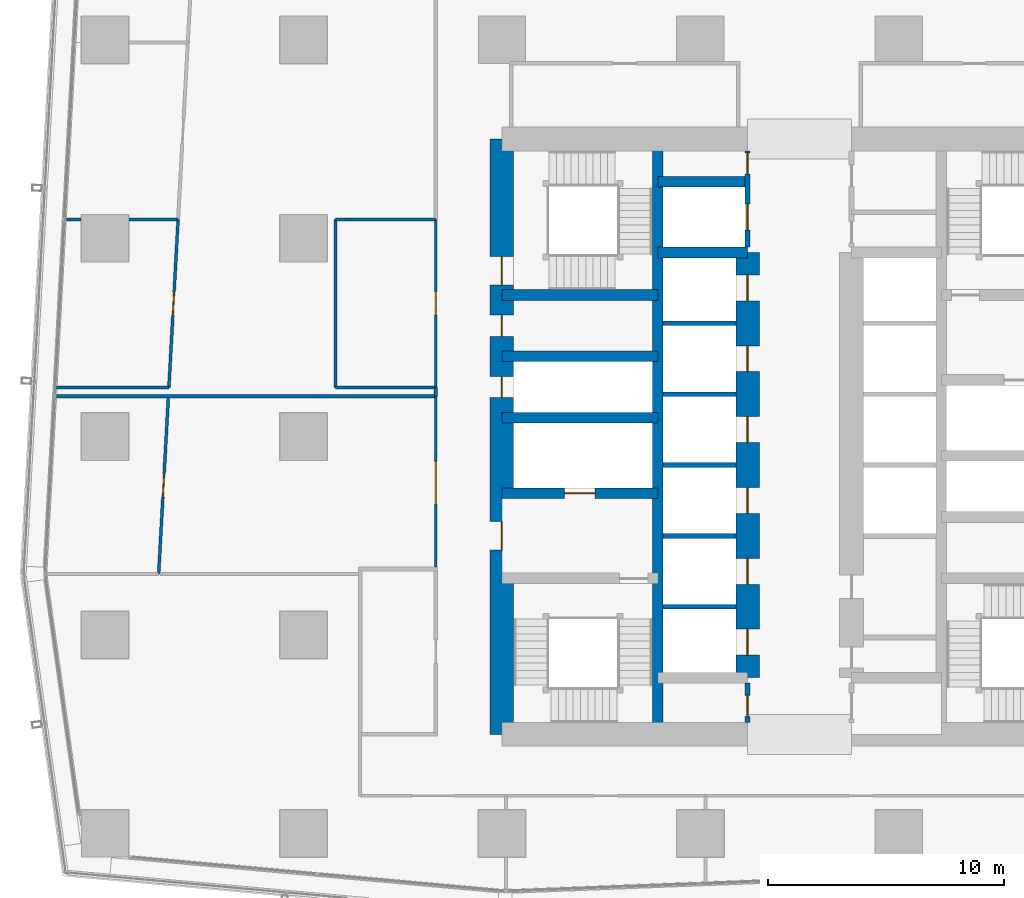
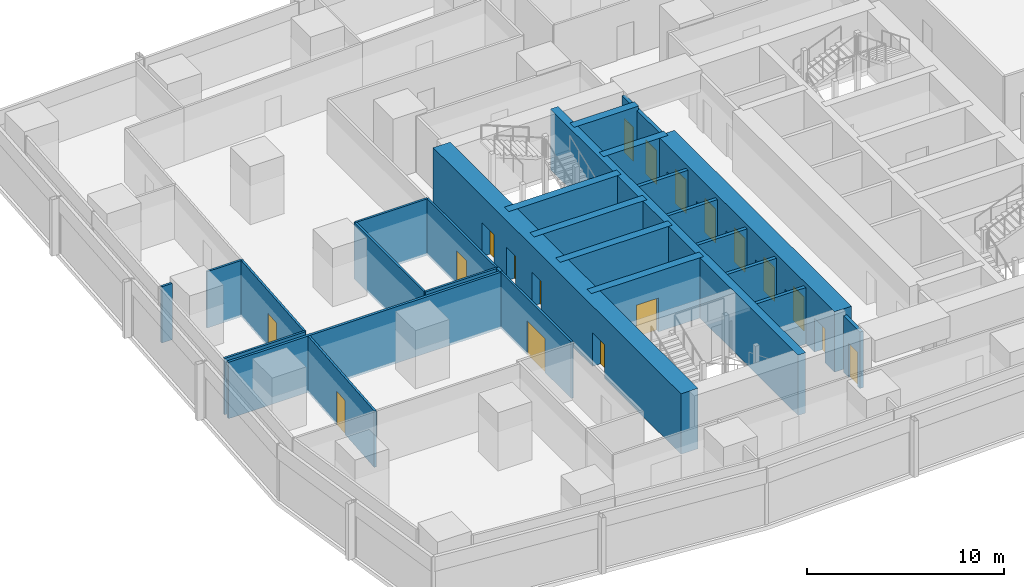
# One storey, part 29 of 39: 28 walls, 18 doors, 18 openings.
"""IFC4 building model written with IfcOpenShell, lengths in metres."""

from ifc_helpers import new_model, si_unit, direction, frame, frame_2d, origin, place, context, subcontext, project, spatial, rectangle, extrude, material, layer, layer_set, type_object, element, fill, save


model = new_model("IFC4")

# Units and contexts
model_context = context("Model", 3, precision=1e-05, world=origin(), true_north=direction((0.0, 1.0)))
body_context = subcontext(model_context, "Body", "Model", "MODEL_VIEW")
ifc_project = project(units=[si_unit("LENGTHUNIT", "METRE"), si_unit("AREAUNIT", "SQUARE_METRE"), si_unit("VOLUMEUNIT", "CUBIC_METRE"), si_unit("PLANEANGLEUNIT", "RADIAN"), si_unit("MASSUNIT", "GRAM", prefix="KILO")], contexts=[model_context])

# Site, building, storey
site_placement = place(None, origin())
site = spatial("IfcSite", under=ifc_project, at=site_placement, CompositionType="ELEMENT")
building_placement = place(site_placement, origin())
building = spatial("IfcBuilding", under=site, at=building_placement, Name="Rekha Terrace Tower", CompositionType="ELEMENT")
storey_placement = place(building_placement, frame((0.0, 0.0, 151.550048828125)))
storey = spatial("IfcBuildingStorey", under=building, at=storey_placement, Name="L38", CompositionType="ELEMENT", Elevation=151.550048828125)

# Walls
ifc_material_1 = material(Name="Concrete M70", Category="concrete")
ifc_layer_1 = layer(ifc_material_1, 0.449951171875)
ifc_layer_set_1 = layer_set([ifc_layer_1], Name="Concrete M70")
wall_type_1 = type_object("IfcWallType", Name="CI2 450 core internal shear wall", PredefinedType="SHEAR", material=ifc_layer_set_1)
wall_1_placement = place(storey_placement, frame((31.800048828125, 21.0, 0.0), z_axis=(0.0, 0.0, 1.0), x_axis=(0.0, 1.0, 0.0)))
element("IfcWall", 1, at=wall_1_placement, inside=storey, type_object=wall_type_1, Name="Core wall X318 L38", PredefinedType="SHEAR", context=body_context, shape_type="SweptSolid", body=[
    extrude(rectangle(XDim=25.199951171875, YDim=0.449951171875, at=frame_2d((12.60009765625, 0.0))), origin(), (0.0, 0.0, 1.0), 3.75),
])
for number, where, z_axis, x_axis, name in (
    (2, (31.800048828125, 41.39990234375, 0.0), (0.0, 0.0, 1.0), (1.0, 0.0, 0.0), "Core wall Y414W L38"),
    (3, (31.800048828125, 44.39990234375, 0.0), (0.0, 0.0, 1.0), (1.0, 0.0, 0.0), "Core wall Y444W L38"),
):
    element("IfcWall", number, at=place(storey_placement, frame(where, z_axis=z_axis, x_axis=x_axis)), inside=storey, type_object=wall_type_1, Name=name, PredefinedType="SHEAR", context=body_context, shape_type="SweptSolid", body=[
        extrude(rectangle(XDim=3.800048828125, YDim=0.449951171875, at=frame_2d((1.89990234375, 0.0))), origin(), (0.0, 0.0, 1.0), 3.75),
    ])

# Wall, opening, door
wall_2_placement = place(storey_placement, frame((25.199951171875, 31.199951171875, 0.0), z_axis=(0.0, 0.0, 1.0), x_axis=(1.0, 0.0, 0.0)))
wall_2 = element("IfcWall", 4, at=wall_2_placement, inside=storey, type_object=wall_type_1, Name="Core wall Y312W L38", PredefinedType="SHEAR", context=body_context, shape_type="SweptSolid", body=[
    extrude(rectangle(XDim=6.60009765625, YDim=0.449951171875, at=frame_2d((3.300048828125, 0.0))), origin(), (0.0, 0.0, 1.0), 3.75),
])
opening_1_placement = place(wall_2_placement, frame((2.64990234375, 0.0, 0.0)))
opening_1 = element("IfcOpeningElement", 5, at=opening_1_placement, cuts=wall_2, Name="Opening LD2", PredefinedType="OPENING", context=body_context, shape_type="SweptSolid", body=[
    extrude(rectangle(XDim=1.300048828125, YDim=2.10009765625, at=frame_2d((0.64990234375, 1.050048828125))), frame((0.0, 0.23486328125, 0.0), z_axis=(0.0, -1.0, 0.0), x_axis=(1.0, 0.0, 0.0)), (0.0, 0.0, 1.0), 0.469970703125),
])
ifc_material_2 = material(Name="Stainless steel sliding landing door", Category="steel")
door_type_1 = type_object("IfcDoorType", Name="LD2 1300x2100 fire lift landing door", OperationType="SLIDING_TO_LEFT", PredefinedType="USERDEFINED", material=ifc_material_2)
door_1_placement = place(opening_1_placement, origin())
door_1 = element("IfcDoor", 6, at=door_1_placement, inside=storey, type_object=door_type_1, Name="Lift FL1 landing door L38", ObjectType="LIFT LANDING DOOR", OperationType="SLIDING_TO_LEFT", OverallHeight=2.10009765625, OverallWidth=1.300048828125, PredefinedType="USERDEFINED", context=body_context, shape_type="SweptSolid", body=[
    extrude(rectangle(XDim=1.300048828125, YDim=2.10009765625, at=frame_2d((0.64990234375, 1.050048828125))), frame((0.0, 0.02490234375, 0.0), z_axis=(0.0, -1.0, 0.0), x_axis=(1.0, 0.0, 0.0)), (0.0, 0.0, 1.0), 0.050048828125),
])
fill(opening_1, door_1)

# Walls
for number, where, z_axis, x_axis, name in (
    (7, (25.199951171875, 34.39990234375, 0.0), (0.0, 0.0, 1.0), (1.0, 0.0, 0.0), "Core wall Y344W L38"),
    (8, (25.199951171875, 37.0, 0.0), (0.0, 0.0, 1.0), (1.0, 0.0, 0.0), "Core wall Y370W L38"),
    (9, (25.199951171875, 39.60009765625, 0.0), (0.0, 0.0, 1.0), (1.0, 0.0, 0.0), "Core wall Y396W L38"),
):
    element("IfcWall", number, at=place(storey_placement, frame(where, z_axis=z_axis, x_axis=x_axis)), inside=storey, type_object=wall_type_1, Name=name, PredefinedType="SHEAR", context=body_context, shape_type="SweptSolid", body=[
        extrude(rectangle(XDim=6.60009765625, YDim=0.449951171875, at=frame_2d((3.300048828125, 0.0))), origin(), (0.0, 0.0, 1.0), 3.75),
    ])

# Wall, openings, doors
ifc_layer_2 = layer(ifc_material_1, 1.0)
ifc_layer_set_2 = layer_set([ifc_layer_2], Name="Concrete M70")
wall_type_2 = type_object("IfcWallType", Name="LW2 1000 core lobby wall at an outrigger level", PredefinedType="SHEAR", material=ifc_layer_set_2)
wall_3_placement = place(storey_placement, frame((35.60009765625, 23.39990234375, 0.0), z_axis=(0.0, 0.0, 1.0), x_axis=(0.0, 1.0, 0.0)))
wall_3 = element("IfcWall", 10, at=wall_3_placement, inside=storey, type_object=wall_type_2, Name="Core wall X356 L38", PredefinedType="SHEAR", context=body_context, shape_type="SweptSolid", body=[
    extrude(rectangle(XDim=18.0, YDim=1.0, at=frame_2d((9.0, 0.0))), origin(), (0.0, 0.0, 1.0), 3.75),
])
opening_2_placement = place(wall_3_placement, frame((0.949951171875, 0.0, 0.0)))
opening_2 = element("IfcOpeningElement", 11, at=opening_2_placement, cuts=wall_3, Name="Opening LD1", PredefinedType="OPENING", context=body_context, shape_type="SweptSolid", body=[
    extrude(rectangle(XDim=1.10009765625, YDim=2.10009765625, at=frame_2d((0.550048828125, 1.050048828125))), frame((0.0, 0.510009765625, 0.0), z_axis=(0.0, -1.0, 0.0), x_axis=(1.0, 0.0, 0.0)), (0.0, 0.0, 1.0), 1.02001953125),
])
opening_3_placement = place(wall_3_placement, frame((3.949951171875, 0.0, 0.0)))
opening_3 = element("IfcOpeningElement", 12, at=opening_3_placement, cuts=wall_3, Name="Opening LD1", PredefinedType="OPENING", context=body_context, shape_type="SweptSolid", body=[
    extrude(rectangle(XDim=1.10009765625, YDim=2.10009765625, at=frame_2d((0.550048828125, 1.050048828125))), frame((0.0, 0.510009765625, 0.0), z_axis=(0.0, -1.0, 0.0), x_axis=(1.0, 0.0, 0.0)), (0.0, 0.0, 1.0), 1.02001953125),
])
opening_4_placement = place(wall_3_placement, frame((6.949951171875, 0.0, 0.0)))
opening_4 = element("IfcOpeningElement", 13, at=opening_4_placement, cuts=wall_3, Name="Opening LD1", PredefinedType="OPENING", context=body_context, shape_type="SweptSolid", body=[
    extrude(rectangle(XDim=1.10009765625, YDim=2.10009765625, at=frame_2d((0.550048828125, 1.050048828125))), frame((0.0, 0.510009765625, 0.0), z_axis=(0.0, -1.0, 0.0), x_axis=(1.0, 0.0, 0.0)), (0.0, 0.0, 1.0), 1.02001953125),
])
opening_5_placement = place(wall_3_placement, frame((9.949951171875, 0.0, 0.0)))
opening_5 = element("IfcOpeningElement", 14, at=opening_5_placement, cuts=wall_3, Name="Opening LD1", PredefinedType="OPENING", context=body_context, shape_type="SweptSolid", body=[
    extrude(rectangle(XDim=1.10009765625, YDim=2.10009765625, at=frame_2d((0.550048828125, 1.050048828125))), frame((0.0, 0.510009765625, 0.0), z_axis=(0.0, -1.0, 0.0), x_axis=(1.0, 0.0, 0.0)), (0.0, 0.0, 1.0), 1.02001953125),
])
opening_6_placement = place(wall_3_placement, frame((12.949951171875, 0.0, 0.0)))
opening_6 = element("IfcOpeningElement", 15, at=opening_6_placement, cuts=wall_3, Name="Opening LD1", PredefinedType="OPENING", context=body_context, shape_type="SweptSolid", body=[
    extrude(rectangle(XDim=1.10009765625, YDim=2.10009765625, at=frame_2d((0.550048828125, 1.050048828125))), frame((0.0, 0.510009765625, 0.0), z_axis=(0.0, -1.0, 0.0), x_axis=(1.0, 0.0, 0.0)), (0.0, 0.0, 1.0), 1.02001953125),
])
opening_7_placement = place(wall_3_placement, frame((15.949951171875, 0.0, 0.0)))
opening_7 = element("IfcOpeningElement", 16, at=opening_7_placement, cuts=wall_3, Name="Opening LD1", PredefinedType="OPENING", context=body_context, shape_type="SweptSolid", body=[
    extrude(rectangle(XDim=1.10009765625, YDim=2.10009765625, at=frame_2d((0.550048828125, 1.050048828125))), frame((0.0, 0.510009765625, 0.0), z_axis=(0.0, -1.0, 0.0), x_axis=(1.0, 0.0, 0.0)), (0.0, 0.0, 1.0), 1.02001953125),
])
door_type_2 = type_object("IfcDoorType", Name="LD1 1100x2100 lift landing door", OperationType="SLIDING_TO_LEFT", PredefinedType="USERDEFINED", material=ifc_material_2)
door_2_placement = place(opening_2_placement, origin())
door_2 = element("IfcDoor", 17, at=door_2_placement, inside=storey, type_object=door_type_2, Name="Lift B1 landing door L38", ObjectType="LIFT LANDING DOOR", OperationType="SLIDING_TO_LEFT", OverallHeight=2.10009765625, OverallWidth=1.10009765625, PredefinedType="USERDEFINED", context=body_context, shape_type="SweptSolid", body=[
    extrude(rectangle(XDim=1.10009765625, YDim=2.10009765625, at=frame_2d((0.550048828125, 1.050048828125))), frame((0.0, 0.02490234375, 0.0), z_axis=(0.0, -1.0, 0.0), x_axis=(1.0, 0.0, 0.0)), (0.0, 0.0, 1.0), 0.050048828125),
])
fill(opening_2, door_2)
door_3_placement = place(opening_3_placement, origin())
door_3 = element("IfcDoor", 18, at=door_3_placement, inside=storey, type_object=door_type_2, Name="Lift B2 landing door L38", ObjectType="LIFT LANDING DOOR", OperationType="SLIDING_TO_LEFT", OverallHeight=2.10009765625, OverallWidth=1.10009765625, PredefinedType="USERDEFINED", context=body_context, shape_type="SweptSolid", body=[
    extrude(rectangle(XDim=1.10009765625, YDim=2.10009765625, at=frame_2d((0.550048828125, 1.050048828125))), frame((0.0, 0.02490234375, 0.0), z_axis=(0.0, -1.0, 0.0), x_axis=(1.0, 0.0, 0.0)), (0.0, 0.0, 1.0), 0.050048828125),
])
fill(opening_3, door_3)
door_4_placement = place(opening_4_placement, origin())
door_4 = element("IfcDoor", 19, at=door_4_placement, inside=storey, type_object=door_type_2, Name="Lift B3 landing door L38", ObjectType="LIFT LANDING DOOR", OperationType="SLIDING_TO_LEFT", OverallHeight=2.10009765625, OverallWidth=1.10009765625, PredefinedType="USERDEFINED", context=body_context, shape_type="SweptSolid", body=[
    extrude(rectangle(XDim=1.10009765625, YDim=2.10009765625, at=frame_2d((0.550048828125, 1.050048828125))), frame((0.0, 0.02490234375, 0.0), z_axis=(0.0, -1.0, 0.0), x_axis=(1.0, 0.0, 0.0)), (0.0, 0.0, 1.0), 0.050048828125),
])
fill(opening_4, door_4)
door_5_placement = place(opening_5_placement, origin())
door_5 = element("IfcDoor", 20, at=door_5_placement, inside=storey, type_object=door_type_2, Name="Lift B4 landing door L38", ObjectType="LIFT LANDING DOOR", OperationType="SLIDING_TO_LEFT", OverallHeight=2.10009765625, OverallWidth=1.10009765625, PredefinedType="USERDEFINED", context=body_context, shape_type="SweptSolid", body=[
    extrude(rectangle(XDim=1.10009765625, YDim=2.10009765625, at=frame_2d((0.550048828125, 1.050048828125))), frame((0.0, 0.02490234375, 0.0), z_axis=(0.0, -1.0, 0.0), x_axis=(1.0, 0.0, 0.0)), (0.0, 0.0, 1.0), 0.050048828125),
])
fill(opening_5, door_5)
door_6_placement = place(opening_6_placement, origin())
door_6 = element("IfcDoor", 21, at=door_6_placement, inside=storey, type_object=door_type_2, Name="Lift B5 landing door L38", ObjectType="LIFT LANDING DOOR", OperationType="SLIDING_TO_LEFT", OverallHeight=2.10009765625, OverallWidth=1.10009765625, PredefinedType="USERDEFINED", context=body_context, shape_type="SweptSolid", body=[
    extrude(rectangle(XDim=1.10009765625, YDim=2.10009765625, at=frame_2d((0.550048828125, 1.050048828125))), frame((0.0, 0.02490234375, 0.0), z_axis=(0.0, -1.0, 0.0), x_axis=(1.0, 0.0, 0.0)), (0.0, 0.0, 1.0), 0.050048828125),
])
fill(opening_6, door_6)
door_7_placement = place(opening_7_placement, origin())
door_7 = element("IfcDoor", 22, at=door_7_placement, inside=storey, type_object=door_type_2, Name="Lift B6 landing door L38", ObjectType="LIFT LANDING DOOR", OperationType="SLIDING_TO_LEFT", OverallHeight=2.10009765625, OverallWidth=1.10009765625, PredefinedType="USERDEFINED", context=body_context, shape_type="SweptSolid", body=[
    extrude(rectangle(XDim=1.10009765625, YDim=2.10009765625, at=frame_2d((0.550048828125, 1.050048828125))), frame((0.0, 0.02490234375, 0.0), z_axis=(0.0, -1.0, 0.0), x_axis=(1.0, 0.0, 0.0)), (0.0, 0.0, 1.0), 0.050048828125),
])
fill(opening_7, door_7)

ifc_layer_3 = layer(ifc_material_1, 1.0)
ifc_layer_set_3 = layer_set([ifc_layer_3], Name="Concrete M70")
wall_type_3 = type_object("IfcWallType", Name="SW2 1000 core outer shear wall", PredefinedType="SHEAR", material=ifc_layer_set_3)
wall_4_placement = place(storey_placement, frame((25.199951171875, 21.0, 0.0), z_axis=(0.0, 0.0, 1.0), x_axis=(0.0, 1.0, 0.0)))
wall_4 = element("IfcWall", 23, at=wall_4_placement, inside=storey, type_object=wall_type_3, Name="Core wall W L38", PredefinedType="SHEAR", context=body_context, shape_type="SweptSolid", body=[
    extrude(rectangle(XDim=25.199951171875, YDim=1.0, at=frame_2d((12.60009765625, 0.0))), origin(), (0.0, 0.0, 1.0), 3.75),
])
opening_8_placement = place(wall_4_placement, frame((7.800048828125, 0.0, 0.0)))
opening_8 = element("IfcOpeningElement", 24, at=opening_8_placement, cuts=wall_4, Name="Opening D2", PredefinedType="OPENING", context=body_context, shape_type="SweptSolid", body=[
    extrude(rectangle(XDim=1.199951171875, YDim=2.10009765625, at=frame_2d((0.60009765625, 1.050048828125))), frame((0.0, 0.510009765625, 0.0), z_axis=(0.0, -1.0, 0.0), x_axis=(1.0, 0.0, 0.0)), (0.0, 0.0, 1.0), 1.02001953125),
])
opening_9_placement = place(wall_4_placement, frame((14.25, 0.0, 0.0)))
opening_9 = element("IfcOpeningElement", 25, at=opening_9_placement, cuts=wall_4, Name="Opening D5", PredefinedType="OPENING", context=body_context, shape_type="SweptSolid", body=[
    extrude(rectangle(XDim=0.89990234375, YDim=2.10009765625, at=frame_2d((0.449951171875, 1.050048828125))), frame((0.0, 0.510009765625, 0.0), z_axis=(0.0, -1.0, 0.0), x_axis=(1.0, 0.0, 0.0)), (0.0, 0.0, 1.0), 1.02001953125),
])
opening_10_placement = place(wall_4_placement, frame((16.85009765625, 0.0, 0.0)))
opening_10 = element("IfcOpeningElement", 26, at=opening_10_placement, cuts=wall_4, Name="Opening D5", PredefinedType="OPENING", context=body_context, shape_type="SweptSolid", body=[
    extrude(rectangle(XDim=0.89990234375, YDim=2.10009765625, at=frame_2d((0.449951171875, 1.050048828125))), frame((0.0, 0.510009765625, 0.0), z_axis=(0.0, -1.0, 0.0), x_axis=(1.0, 0.0, 0.0)), (0.0, 0.0, 1.0), 1.02001953125),
])
opening_11_placement = place(wall_4_placement, frame((19.02490234375, 0.0, 0.0)))
opening_11 = element("IfcOpeningElement", 27, at=opening_11_placement, cuts=wall_4, Name="Opening D1", PredefinedType="OPENING", context=body_context, shape_type="SweptSolid", body=[
    extrude(rectangle(XDim=1.199951171875, YDim=2.10009765625, at=frame_2d((0.60009765625, 1.050048828125))), frame((0.0, 0.510009765625, 0.0), z_axis=(0.0, -1.0, 0.0), x_axis=(1.0, 0.0, 0.0)), (0.0, 0.0, 1.0), 1.02001953125),
])
ifc_material_3 = material(Name="Steel fire door", Category="steel")
door_type_3 = type_object("IfcDoorType", Name="D1 1200x2100 stair fire door", OperationType="SINGLE_SWING_RIGHT", PredefinedType="DOOR", material=ifc_material_3)
door_8_placement = place(opening_11_placement, origin())
door_8 = element("IfcDoor", 28, at=door_8_placement, inside=storey, type_object=door_type_3, Name="Stair ST4 door L38", OperationType="SINGLE_SWING_RIGHT", OverallHeight=2.10009765625, OverallWidth=1.199951171875, PredefinedType="DOOR", context=body_context, shape_type="SweptSolid", body=[
    extrude(rectangle(XDim=1.199951171875, YDim=2.10009765625, at=frame_2d((0.60009765625, 1.050048828125))), frame((0.0, 0.02490234375, 0.0), z_axis=(0.0, -1.0, 0.0), x_axis=(1.0, 0.0, 0.0)), (0.0, 0.0, 1.0), 0.050048828125),
])
fill(opening_11, door_8)
door_type_4 = type_object("IfcDoorType", Name="D2 1200x2100 firefighting lobby door", OperationType="SINGLE_SWING_LEFT", PredefinedType="DOOR", material=ifc_material_3)
door_9_placement = place(opening_8_placement, origin())
door_9 = element("IfcDoor", 29, at=door_9_placement, inside=storey, type_object=door_type_4, Name="Door flb1 L38", OperationType="SINGLE_SWING_LEFT", OverallHeight=2.10009765625, OverallWidth=1.199951171875, PredefinedType="DOOR", context=body_context, shape_type="SweptSolid", body=[
    extrude(rectangle(XDim=1.199951171875, YDim=2.10009765625, at=frame_2d((0.60009765625, 1.050048828125))), frame((0.0, 0.02490234375, 0.0), z_axis=(0.0, -1.0, 0.0), x_axis=(1.0, 0.0, 0.0)), (0.0, 0.0, 1.0), 0.050048828125),
])
fill(opening_8, door_9)
door_type_5 = type_object("IfcDoorType", Name="D5 900x2100 riser access door", OperationType="SINGLE_SWING_LEFT", PredefinedType="DOOR", material=ifc_material_3)
door_10_placement = place(opening_9_placement, origin())
door_10 = element("IfcDoor", 30, at=door_10_placement, inside=storey, type_object=door_type_5, Name="Door rs1 L38", OperationType="SINGLE_SWING_LEFT", OverallHeight=2.10009765625, OverallWidth=0.89990234375, PredefinedType="DOOR", context=body_context, shape_type="SweptSolid", body=[
    extrude(rectangle(XDim=0.89990234375, YDim=2.10009765625, at=frame_2d((0.449951171875, 1.050048828125))), frame((0.0, 0.02490234375, 0.0), z_axis=(0.0, -1.0, 0.0), x_axis=(1.0, 0.0, 0.0)), (0.0, 0.0, 1.0), 0.050048828125),
])
fill(opening_9, door_10)
door_11_placement = place(opening_10_placement, origin())
door_11 = element("IfcDoor", 31, at=door_11_placement, inside=storey, type_object=door_type_5, Name="Door elw L38", OperationType="SINGLE_SWING_LEFT", OverallHeight=2.10009765625, OverallWidth=0.89990234375, PredefinedType="DOOR", context=body_context, shape_type="SweptSolid", body=[
    extrude(rectangle(XDim=0.89990234375, YDim=2.10009765625, at=frame_2d((0.449951171875, 1.050048828125))), frame((0.0, 0.02490234375, 0.0), z_axis=(0.0, -1.0, 0.0), x_axis=(1.0, 0.0, 0.0)), (0.0, 0.0, 1.0), 0.050048828125),
])
fill(opening_10, door_11)

# Walls
ifc_material_4 = material(Name="Concrete block masonry, 1 hour", Category="masonry")
ifc_layer_4 = layer(ifc_material_4, 0.14990234375)
ifc_layer_set_4 = layer_set([ifc_layer_4], Name="Concrete block masonry, 1 hour")
wall_type_4 = type_object("IfcWallType", Name="WP2 150 tenancy partition", PredefinedType="PARTITIONING", material=ifc_layer_set_4)
wall_5_placement = place(storey_placement, frame((22.39990234375, 35.68798828125, 0.0), z_axis=(0.0, 0.0, 1.0), x_axis=(0.0, -1.0, 0.0)))
element("IfcWall", 32, at=wall_5_placement, inside=storey, type_object=wall_type_4, Name="Partition L38-O2", PredefinedType="PARTITIONING", context=body_context, shape_type="SweptSolid", body=[
    extrude(rectangle(XDim=0.384033203125, YDim=0.14990234375, at=frame_2d((0.19189453125, 0.0))), origin(), (0.0, 0.0, 1.0), 3.5),
])
wall_6_placement = place(storey_placement, frame((22.39990234375, 35.303955078125, 0.0), z_axis=(0.0, 0.0, 1.0), x_axis=(-1.0, 0.0, 0.0)))
element("IfcWall", 33, at=wall_6_placement, inside=storey, type_object=wall_type_4, Name="Partition L38-O2", PredefinedType="PARTITIONING", context=body_context, shape_type="SweptSolid", body=[
    extrude(rectangle(XDim=16.044921875, YDim=0.14990234375, at=frame_2d((8.0224609375, 0.0))), origin(), (0.0, 0.0, 1.0), 3.5),
])
ifc_material_5 = material(Name="Two layers of fire-rated gypsum board each side on steel studs, acoustic quilt, 1 hour", Category="steel")
ifc_layer_5 = layer(ifc_material_5, 0.125)
ifc_layer_set_5 = layer_set([ifc_layer_5], Name="Two layers of fire-rated gypsum board each side on steel studs, acoustic quilt, 1 hour")
wall_type_5 = type_object("IfcWallType", Name="WP3 125 office partition", PredefinedType="PARTITIONING", material=ifc_layer_set_5)
wall_7_placement = place(storey_placement, frame((11.492919921875, 42.794921875, 0.0), z_axis=(0.0, 0.0, 1.0), x_axis=(-1.0, 0.0, 0.0)))
element("IfcWall", 34, at=wall_7_placement, inside=storey, type_object=wall_type_5, Name="Partition L38-15", PredefinedType="PARTITIONING", context=body_context, shape_type="SweptSolid", body=[
    extrude(rectangle(XDim=2.072998046875, YDim=0.125, at=frame_2d((1.03662109375, 0.0))), origin(), (0.0, 0.0, 1.0), 3.5),
])
wall_8_placement = place(storey_placement, frame((7.3798828125, 42.794921875, 0.0), z_axis=(0.0, 0.0, 1.0), x_axis=(-1.0, 0.0, 0.0)))
element("IfcWall", 35, at=wall_8_placement, inside=storey, type_object=wall_type_5, Name="Partition L38-15", PredefinedType="PARTITIONING", context=body_context, shape_type="SweptSolid", body=[
    extrude(rectangle(XDim=0.61376953125, YDim=0.125, at=frame_2d((0.306884765625, 0.0))), origin(), (0.0, 0.0, 1.0), 3.5),
])

# Wall, opening, door
wall_9_placement = place(storey_placement, frame((11.492919921875, 42.7939453125, 0.0), z_axis=(0.0, 0.0, 1.0), x_axis=(-0.054786006182, -0.99849811894, 0.0)))
wall_9 = element("IfcWall", 36, at=wall_9_placement, inside=storey, type_object=wall_type_5, Name="Partition L38-16", PredefinedType="PARTITIONING", context=body_context, shape_type="SweptSolid", body=[
    extrude(rectangle(XDim=7.11669921875, YDim=0.125, at=frame_2d((3.558349609375, 0.0))), origin(), (0.0, 0.0, 1.0), 3.5),
])
opening_12_placement = place(wall_9_placement, frame((3.05810546875, 0.0, 0.0)))
opening_12 = element("IfcOpeningElement", 37, at=opening_12_placement, cuts=wall_9, Name="Opening D9", PredefinedType="OPENING", context=body_context, shape_type="SweptSolid", body=[
    extrude(rectangle(XDim=1.0, YDim=2.10009765625, at=frame_2d((0.5, 1.050048828125))), frame((0.0, 0.072509765625, 0.0), z_axis=(0.0, -1.0, 0.0), x_axis=(1.0, 0.0, 0.0)), (0.0, 0.0, 1.0), 0.14501953125),
])
ifc_material_6 = material(Name="Timber fire door", Category="wood")
door_type_6 = type_object("IfcDoorType", Name="D9 1000x2100 office door", OperationType="SINGLE_SWING_LEFT", PredefinedType="DOOR", material=ifc_material_6)
door_12_placement = place(opening_12_placement, origin())
door_12 = element("IfcDoor", 38, at=door_12_placement, inside=storey, type_object=door_type_6, Name="Door meeting room L38", OperationType="SINGLE_SWING_LEFT", OverallHeight=2.10009765625, OverallWidth=1.0, PredefinedType="DOOR", context=body_context, shape_type="SweptSolid", body=[
    extrude(rectangle(XDim=1.0, YDim=2.10009765625, at=frame_2d((0.5, 1.050048828125))), frame((0.0, 0.02490234375, 0.0), z_axis=(0.0, -1.0, 0.0), x_axis=(1.0, 0.0, 0.0)), (0.0, 0.0, 1.0), 0.050048828125),
])
fill(opening_12, door_12)

# Walls
wall_10_placement = place(storey_placement, frame((11.10302734375, 35.68798828125, 0.0), z_axis=(0.0, 0.0, 1.0), x_axis=(-1.0, 0.0, 0.0)))
element("IfcWall", 39, at=wall_10_placement, inside=storey, type_object=wall_type_5, Name="Partition L38-16", PredefinedType="PARTITIONING", context=body_context, shape_type="SweptSolid", body=[
    extrude(rectangle(XDim=4.757080078125, YDim=0.125, at=frame_2d((2.37841796875, 0.0))), origin(), (0.0, 0.0, 1.0), 3.5),
])
wall_11_placement = place(storey_placement, frame((18.14990234375, 35.68798828125, 0.0), z_axis=(0.0, 0.0, 1.0), x_axis=(0.0, 1.0, 0.0)))
element("IfcWall", 40, at=wall_11_placement, inside=storey, type_object=wall_type_5, Name="Partition L38-17", PredefinedType="PARTITIONING", context=body_context, shape_type="SweptSolid", body=[
    extrude(rectangle(XDim=7.10693359375, YDim=0.125, at=frame_2d((3.553466796875, 0.0))), origin(), (0.0, 0.0, 1.0), 3.5),
])
wall_12_placement = place(storey_placement, frame((18.14990234375, 42.794921875, 0.0), z_axis=(0.0, 0.0, 1.0), x_axis=(1.0, 0.0, 0.0)))
element("IfcWall", 41, at=wall_12_placement, inside=storey, type_object=wall_type_5, Name="Partition L38-17", PredefinedType="PARTITIONING", context=body_context, shape_type="SweptSolid", body=[
    extrude(rectangle(XDim=4.25, YDim=0.125, at=frame_2d((2.125, 0.0))), origin(), (0.0, 0.0, 1.0), 3.5),
])

# Wall, opening, door
wall_13_placement = place(storey_placement, frame((22.39990234375, 42.794921875, 0.0), z_axis=(0.0, 0.0, 1.0), x_axis=(0.0, -1.0, 0.0)))
wall_13 = element("IfcWall", 42, at=wall_13_placement, inside=storey, type_object=wall_type_5, Name="Partition L38-17", PredefinedType="PARTITIONING", context=body_context, shape_type="SweptSolid", body=[
    extrude(rectangle(XDim=7.10693359375, YDim=0.125, at=frame_2d((3.553466796875, 0.0))), origin(), (0.0, 0.0, 1.0), 3.5),
])
opening_13_placement = place(wall_13_placement, frame((3.052978515625, 0.0, 0.0)))
opening_13 = element("IfcOpeningElement", 43, at=opening_13_placement, cuts=wall_13, Name="Opening D9", PredefinedType="OPENING", context=body_context, shape_type="SweptSolid", body=[
    extrude(rectangle(XDim=1.0, YDim=2.10009765625, at=frame_2d((0.5, 1.050048828125))), frame((0.0, 0.072509765625, 0.0), z_axis=(0.0, -1.0, 0.0), x_axis=(1.0, 0.0, 0.0)), (0.0, 0.0, 1.0), 0.14501953125),
])
door_13_placement = place(opening_13_placement, origin())
door_13 = element("IfcDoor", 44, at=door_13_placement, inside=storey, type_object=door_type_6, Name="Door reception L38", OperationType="SINGLE_SWING_LEFT", OverallHeight=2.10009765625, OverallWidth=1.0, PredefinedType="DOOR", context=body_context, shape_type="SweptSolid", body=[
    extrude(rectangle(XDim=1.0, YDim=2.10009765625, at=frame_2d((0.5, 1.050048828125))), frame((0.0, 0.02490234375, 0.0), z_axis=(0.0, -1.0, 0.0), x_axis=(1.0, 0.0, 0.0)), (0.0, 0.0, 1.0), 0.050048828125),
])
fill(opening_13, door_13)

# Wall
wall_14_placement = place(storey_placement, frame((22.39990234375, 35.68798828125, 0.0), z_axis=(0.0, 0.0, 1.0), x_axis=(-1.0, 0.0, 0.0)))
element("IfcWall", 45, at=wall_14_placement, inside=storey, type_object=wall_type_5, Name="Partition L38-17", PredefinedType="PARTITIONING", context=body_context, shape_type="SweptSolid", body=[
    extrude(rectangle(XDim=4.25, YDim=0.125, at=frame_2d((2.125, 0.0))), origin(), (0.0, 0.0, 1.0), 3.5),
])

# Wall, opening, door
wall_15_placement = place(storey_placement, frame((11.077880859375, 35.22900390625, 0.0), z_axis=(0.0, 0.0, 1.0), x_axis=(-0.054822859053, -0.998496096199, 0.0)))
wall_15 = element("IfcWall", 46, at=wall_15_placement, inside=storey, type_object=wall_type_5, Name="Partition L38-20", PredefinedType="PARTITIONING", context=body_context, shape_type="SweptSolid", body=[
    extrude(rectangle(XDim=7.459228515625, YDim=0.125, at=frame_2d((3.7294921875, 0.0))), origin(), (0.0, 0.0, 1.0), 3.5),
])
opening_14_placement = place(wall_15_placement, frame((3.19189453125, 0.0, 0.0)))
opening_14 = element("IfcOpeningElement", 47, at=opening_14_placement, cuts=wall_15, Name="Opening D9", PredefinedType="OPENING", context=body_context, shape_type="SweptSolid", body=[
    extrude(rectangle(XDim=1.0, YDim=2.10009765625, at=frame_2d((0.5, 1.050048828125))), frame((0.0, 0.072509765625, 0.0), z_axis=(0.0, -1.0, 0.0), x_axis=(1.0, 0.0, 0.0)), (0.0, 0.0, 1.0), 0.14501953125),
])
door_14_placement = place(opening_14_placement, origin())
door_14 = element("IfcDoor", 48, at=door_14_placement, inside=storey, type_object=door_type_6, Name="Door meeting room L38", OperationType="SINGLE_SWING_LEFT", OverallHeight=2.10009765625, OverallWidth=1.0, PredefinedType="DOOR", context=body_context, shape_type="SweptSolid", body=[
    extrude(rectangle(XDim=1.0, YDim=2.10009765625, at=frame_2d((0.5, 1.050048828125))), frame((0.0, 0.02490234375, 0.0), z_axis=(0.0, -1.0, 0.0), x_axis=(1.0, 0.0, 0.0)), (0.0, 0.0, 1.0), 0.050048828125),
])
fill(opening_14, door_14)

wall_16_placement = place(storey_placement, frame((22.39990234375, 35.303955078125, 0.0), z_axis=(0.0, 0.0, 1.0), x_axis=(0.0, -1.0, 0.0)))
wall_16 = element("IfcWall", 49, at=wall_16_placement, inside=storey, type_object=wall_type_5, Name="Partition L38-21", PredefinedType="PARTITIONING", context=body_context, shape_type="SweptSolid", body=[
    extrude(rectangle(XDim=7.22900390625, YDim=0.125, at=frame_2d((3.614501953125, 0.0))), origin(), (0.0, 0.0, 1.0), 3.5),
])
opening_15_placement = place(wall_16_placement, frame((2.751953125, 0.0, 0.0)))
opening_15 = element("IfcOpeningElement", 50, at=opening_15_placement, cuts=wall_16, Name="Opening D8", PredefinedType="OPENING", context=body_context, shape_type="SweptSolid", body=[
    extrude(rectangle(XDim=1.800048828125, YDim=2.10009765625, at=frame_2d((0.89990234375, 1.050048828125))), frame((0.0, 0.072509765625, 0.0), z_axis=(0.0, -1.0, 0.0), x_axis=(1.0, 0.0, 0.0)), (0.0, 0.0, 1.0), 0.14501953125),
])
door_type_7 = type_object("IfcDoorType", Name="D8 1800x2100 double leaf door", OperationType="DOUBLE_DOOR_SINGLE_SWING", PredefinedType="DOOR", material=ifc_material_6)
door_15_placement = place(opening_15_placement, origin())
door_15 = element("IfcDoor", 51, at=door_15_placement, inside=storey, type_object=door_type_7, Name="Door print room L38", OperationType="DOUBLE_DOOR_SINGLE_SWING", OverallHeight=2.10009765625, OverallWidth=1.800048828125, PredefinedType="DOOR", context=body_context, shape_type="SweptSolid", body=[
    extrude(rectangle(XDim=1.800048828125, YDim=2.10009765625, at=frame_2d((0.89990234375, 1.050048828125))), frame((0.0, 0.02490234375, 0.0), z_axis=(0.0, -1.0, 0.0), x_axis=(1.0, 0.0, 0.0)), (0.0, 0.0, 1.0), 0.050048828125),
])
fill(opening_15, door_15)

# Walls
ifc_material_7 = material(Name="Solid concrete block masonry, 2 hour", Category="masonry")
ifc_layer_6 = layer(ifc_material_7, 0.199951171875)
ifc_layer_set_6 = layer_set([ifc_layer_6], Name="Solid concrete block masonry, 2 hour")
wall_type_6 = type_object("IfcWallType", Name="WS1 200 stair and shaft enclosure", PredefinedType="PARTITIONING", material=ifc_layer_set_6)
for number, where, z_axis, x_axis, name in (
    (52, (32.02490234375, 26.39990234375, 0.0), (0.0, 0.0, 1.0), (1.0, 0.0, 0.0), "Lift shaft divider L38"),
    (53, (32.02490234375, 29.39990234375, 0.0), (0.0, 0.0, 1.0), (1.0, 0.0, 0.0), "Lift shaft divider L38"),
    (54, (32.02490234375, 32.39990234375, 0.0), (0.0, 0.0, 1.0), (1.0, 0.0, 0.0), "Lift shaft divider L38"),
    (55, (32.02490234375, 35.39990234375, 0.0), (0.0, 0.0, 1.0), (1.0, 0.0, 0.0), "Lift shaft divider L38"),
    (56, (32.02490234375, 38.39990234375, 0.0), (0.0, 0.0, 1.0), (1.0, 0.0, 0.0), "Lift shaft divider L38"),
):
    element("IfcWall", number, at=place(storey_placement, frame(where, z_axis=z_axis, x_axis=x_axis)), inside=storey, type_object=wall_type_6, Name=name, PredefinedType="PARTITIONING", context=body_context, shape_type="SweptSolid", body=[
        extrude(rectangle(XDim=3.0751953125, YDim=0.199951171875, at=frame_2d((1.53759765625, 0.0))), origin(), (0.0, 0.0, 1.0), 3.5),
    ])

# Wall, openings, doors
wall_17_placement = place(storey_placement, frame((35.60009765625, 41.625, 0.0), z_axis=(0.0, 0.0, 1.0), x_axis=(0.0, 1.0, 0.0)))
wall_17 = element("IfcWall", 57, at=wall_17_placement, inside=storey, type_object=wall_type_6, Name="Core partition jansv L38", PredefinedType="PARTITIONING", context=body_context, shape_type="SweptSolid", body=[
    extrude(rectangle(XDim=4.074951171875, YDim=0.199951171875, at=frame_2d((2.03759765625, 0.0))), origin(), (0.0, 0.0, 1.0), 3.5),
])
opening_16_placement = place(wall_17_placement, frame((3.087890625, 0.0, 0.0)))
opening_16 = element("IfcOpeningElement", 58, at=opening_16_placement, cuts=wall_17, Name="Opening D5", PredefinedType="OPENING", context=body_context, shape_type="SweptSolid", body=[
    extrude(rectangle(XDim=0.89990234375, YDim=2.10009765625, at=frame_2d((0.449951171875, 1.050048828125))), frame((0.0, 0.10986328125, 0.0), z_axis=(0.0, -1.0, 0.0), x_axis=(1.0, 0.0, 0.0)), (0.0, 0.0, 1.0), 0.219970703125),
])
opening_17_placement = place(wall_17_placement, frame((0.72509765625, 0.0, 0.0)))
opening_17 = element("IfcOpeningElement", 59, at=opening_17_placement, cuts=wall_17, Name="Opening LD1", PredefinedType="OPENING", context=body_context, shape_type="SweptSolid", body=[
    extrude(rectangle(XDim=1.10009765625, YDim=2.10009765625, at=frame_2d((0.550048828125, 1.050048828125))), frame((0.0, 0.10986328125, 0.0), z_axis=(0.0, -1.0, 0.0), x_axis=(1.0, 0.0, 0.0)), (0.0, 0.0, 1.0), 0.219970703125),
])
door_16_placement = place(opening_16_placement, origin())
door_16 = element("IfcDoor", 60, at=door_16_placement, inside=storey, type_object=door_type_5, Name="Door janitor room L38", OperationType="SINGLE_SWING_LEFT", OverallHeight=2.10009765625, OverallWidth=0.89990234375, PredefinedType="DOOR", context=body_context, shape_type="SweptSolid", body=[
    extrude(rectangle(XDim=0.89990234375, YDim=2.10009765625, at=frame_2d((0.449951171875, 1.050048828125))), frame((0.0, 0.02490234375, 0.0), z_axis=(0.0, -1.0, 0.0), x_axis=(1.0, 0.0, 0.0)), (0.0, 0.0, 1.0), 0.050048828125),
])
fill(opening_16, door_16)
door_17_placement = place(opening_17_placement, origin())
door_17 = element("IfcDoor", 61, at=door_17_placement, inside=storey, type_object=door_type_2, Name="Lift SV1 landing door L38", ObjectType="LIFT LANDING DOOR", OperationType="SLIDING_TO_LEFT", OverallHeight=2.10009765625, OverallWidth=1.10009765625, PredefinedType="USERDEFINED", context=body_context, shape_type="SweptSolid", body=[
    extrude(rectangle(XDim=1.10009765625, YDim=2.10009765625, at=frame_2d((0.550048828125, 1.050048828125))), frame((0.0, 0.02490234375, 0.0), z_axis=(0.0, -1.0, 0.0), x_axis=(1.0, 0.0, 0.0)), (0.0, 0.0, 1.0), 0.050048828125),
])
fill(opening_17, door_17)

# Wall, opening, door
wall_18_placement = place(storey_placement, frame((35.60009765625, 21.5, 0.0), z_axis=(0.0, 0.0, 1.0), x_axis=(0.0, 1.0, 0.0)))
wall_18 = element("IfcWall", 62, at=wall_18_placement, inside=storey, type_object=wall_type_6, Name="Core partition west L38", PredefinedType="PARTITIONING", context=body_context, shape_type="SweptSolid", body=[
    extrude(rectangle(XDim=1.675048828125, YDim=0.199951171875, at=frame_2d((0.83740234375, 0.0))), origin(), (0.0, 0.0, 1.0), 3.5),
])
opening_18_placement = place(wall_18_placement, frame((0.25, 0.0, 0.0)))
opening_18 = element("IfcOpeningElement", 63, at=opening_18_placement, cuts=wall_18, Name="Opening D5", PredefinedType="OPENING", context=body_context, shape_type="SweptSolid", body=[
    extrude(rectangle(XDim=0.89990234375, YDim=2.10009765625, at=frame_2d((0.449951171875, 1.050048828125))), frame((0.0, 0.10986328125, 0.0), z_axis=(0.0, -1.0, 0.0), x_axis=(1.0, 0.0, 0.0)), (0.0, 0.0, 1.0), 0.219970703125),
])
door_18_placement = place(opening_18_placement, origin())
door_18 = element("IfcDoor", 64, at=door_18_placement, inside=storey, type_object=door_type_5, Name="Door cleaner's store L38", OperationType="SINGLE_SWING_LEFT", OverallHeight=2.10009765625, OverallWidth=0.89990234375, PredefinedType="DOOR", context=body_context, shape_type="SweptSolid", body=[
    extrude(rectangle(XDim=0.89990234375, YDim=2.10009765625, at=frame_2d((0.449951171875, 1.050048828125))), frame((0.0, 0.02490234375, 0.0), z_axis=(0.0, -1.0, 0.0), x_axis=(1.0, 0.0, 0.0)), (0.0, 0.0, 1.0), 0.050048828125),
])
fill(opening_18, door_18)

save(model, "model.ifc")
